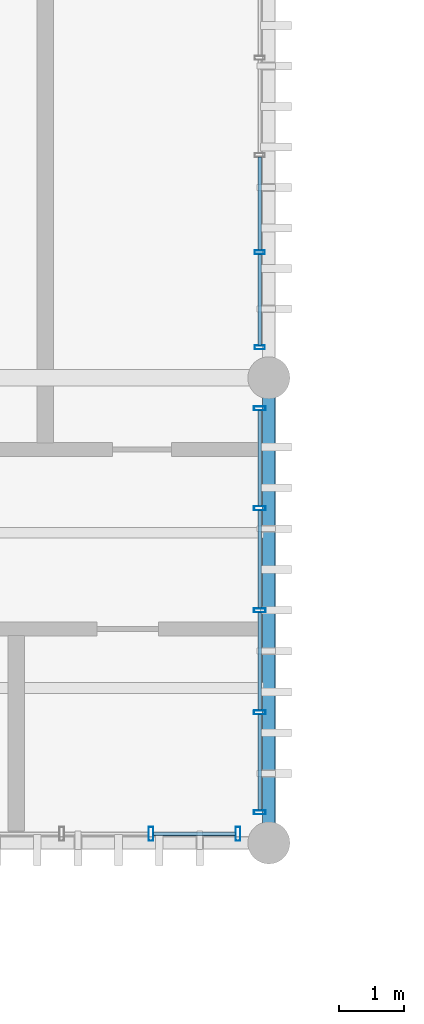
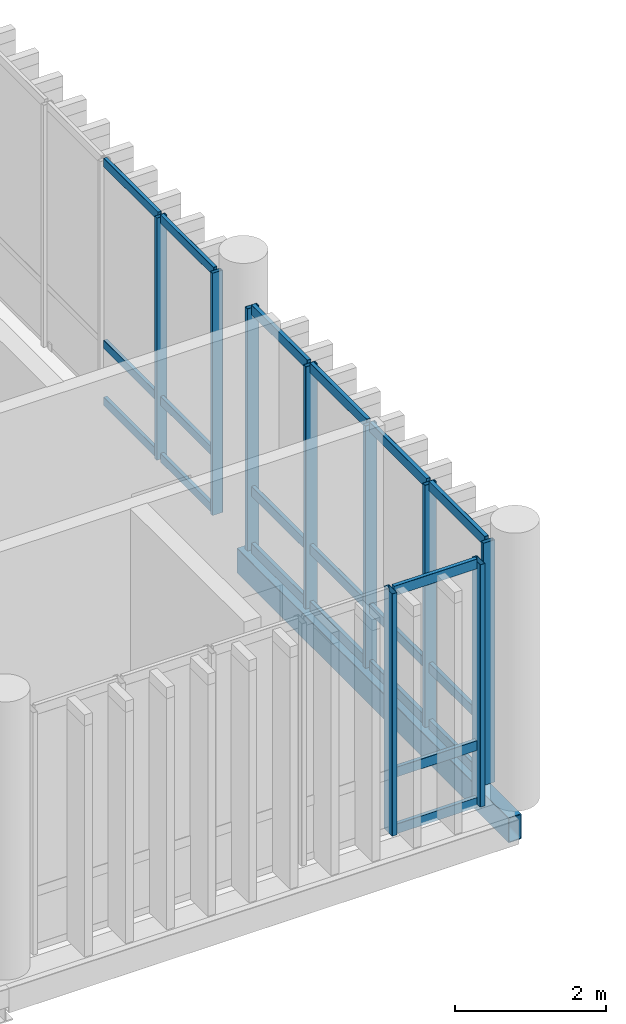
# One storey, part 32 of 66: 30 members, 1 beam, 3 elements without a shape of their own.
"""IFC4 building model written with IfcOpenShell, lengths in metres."""

from ifc_helpers import new_model, si_unit, direction, frame, origin_with_axes, origin_2d_with_axis, place, context, subcontext, project, spatial, hollow_rectangle, extrude, material, material_profile, profile_set, type_object, element, aggregate, save


model = new_model("IFC4")

# Units and contexts
model_context = context("Model", 3, precision=1e-05, world=origin_with_axes(), true_north=direction((0.0, 1.0)))
body_context = subcontext(model_context, "Body", "Model", "MODEL_VIEW")
ifc_project = project(units=[si_unit("LENGTHUNIT", "METRE"), si_unit("AREAUNIT", "SQUARE_METRE"), si_unit("VOLUMEUNIT", "CUBIC_METRE"), si_unit("PLANEANGLEUNIT", "RADIAN"), si_unit("MASSUNIT", "GRAM", prefix="KILO"), si_unit("THERMODYNAMICTEMPERATUREUNIT", "KELVIN")], contexts=[model_context])

# Site, building, storey
site_placement = place(None, origin_with_axes())
site = spatial("IfcSite", under=ifc_project, at=site_placement, CompositionType="ELEMENT")
building_placement = place(site_placement, origin_with_axes())
building = spatial("IfcBuilding", under=site, at=building_placement, Name="Montbau Bow Law Courts", CompositionType="ELEMENT")
storey_placement = place(building_placement, frame((0.0, 0.0, 34.5), z_axis=(0.0, 0.0, 1.0), x_axis=(1.0, 0.0, 0.0)))
storey = spatial("IfcBuildingStorey", under=building, at=storey_placement, Name="L07", CompositionType="ELEMENT", Elevation=34.5)

# Beam
ifc_material_1 = material(Name="Steel CSA G40.21 Grade 350WT (350 MPa)", Category="steel")
ifc_material_profile_1 = material_profile(ifc_material_1, hollow_rectangle(XDim=0.203, YDim=0.406, WallThickness=0.0127, InnerFilletRadius=0.0254, OuterFilletRadius=0.0127, at=origin_2d_with_axis()), Name="HSS406X203X13", Category="Main", Priority=0)
ifc_profile_set_1 = profile_set([ifc_material_profile_1], Name="Steel CSA G40.21 Grade 350WT (350 MPa)")
beam_type = type_object("IfcBeamType", Name="B-SPN-01", PredefinedType="SPANDREL", material=ifc_profile_set_1)
beam_placement = place(None, frame((105.0, 39.0, 33.997), z_axis=(0.0, 1.0, 0.0), x_axis=(-1.0, 0.0, 0.0)))
element("IfcBeam", 1, at=beam_placement, inside=storey, type_object=beam_type, Name="SPN-L07-S1058:bm2_1061", PredefinedType="SPANDREL", context=body_context, shape_type="SweptSolid", body=[
    extrude(hollow_rectangle(XDim=0.203, YDim=0.406, WallThickness=0.0127, InnerFilletRadius=0.0254, OuterFilletRadius=0.0127, at=origin_2d_with_axis()), origin_with_axes(), (0.0, 0.0, 1.0), 7.2),
])

# Curtain wall, members
ifc_material_2 = material(Name="Thermally Broken Extruded Aluminium AA 6063-T6", Category="aluminium")
curtain_wall_type = type_object("IfcCurtainWallType", Name="CW-CRM-02", PredefinedType="NOTDEFINED", material=ifc_material_2)
curtain_wall_1_placement = place(None, frame((97.64, 39.14, 34.5), z_axis=(0.0, 0.0, 1.0), x_axis=(1.0, 0.0, 0.0)))
curtain_wall_1 = element("IfcCurtainWall", 2, at=curtain_wall_1_placement, inside=storey, type_object=curtain_wall_type, Name="CW-L07-246:cw_0246", PredefinedType="NOTDEFINED")
ifc_material_profile_2 = material_profile(ifc_material_2, hollow_rectangle(XDim=0.075, YDim=0.22, WallThickness=0.005, InnerFilletRadius=0.01, OuterFilletRadius=0.005, at=origin_2d_with_axis()), Name="CWM-220X75", Category="Main", Priority=0)
ifc_profile_set_2 = profile_set([ifc_material_profile_2], Name="Thermally Broken Extruded Aluminium AA 6063-T6")
member_type_1 = type_object("IfcMemberType", Name="M-MUL-01", PredefinedType="MULLION", material=ifc_profile_set_2)
member_1_placement = place(None, frame((103.176, 39.14, 34.5), z_axis=(0.0, 0.0, 1.0), x_axis=(1.0, 0.0, 0.0)))
member_1 = element("IfcMember", 3, at=member_1_placement, type_object=member_type_1, Name="CW-L07-246-M05:cw_0246_M05", PredefinedType="MULLION", context=body_context, shape_type="SweptSolid", body=[
    extrude(hollow_rectangle(XDim=0.075, YDim=0.22, WallThickness=0.005, InnerFilletRadius=0.01, OuterFilletRadius=0.005, at=origin_2d_with_axis()), origin_with_axes(), (0.0, 0.0, 1.0), 3.92),
])
member_2_placement = place(None, frame((104.523, 39.14, 34.5), z_axis=(0.0, 0.0, 1.0), x_axis=(1.0, 0.0, 0.0)))
member_2 = element("IfcMember", 4, at=member_2_placement, type_object=member_type_1, Name="CW-L07-246-M06:cw_0246_M06", PredefinedType="MULLION", context=body_context, shape_type="SweptSolid", body=[
    extrude(hollow_rectangle(XDim=0.075, YDim=0.22, WallThickness=0.005, InnerFilletRadius=0.01, OuterFilletRadius=0.005, at=origin_2d_with_axis()), origin_with_axes(), (0.0, 0.0, 1.0), 3.92),
])

curtain_wall_2_placement = place(None, frame((104.86, 39.44, 34.5), z_axis=(0.0, 0.0, 1.0), x_axis=(1.0, 0.0, 0.0)))
curtain_wall_2 = element("IfcCurtainWall", 5, at=curtain_wall_2_placement, inside=storey, type_object=curtain_wall_type, Name="CW-L07-256:cw_0256", PredefinedType="NOTDEFINED")
ifc_material_profile_3 = material_profile(ifc_material_2, hollow_rectangle(XDim=0.065, YDim=0.18, WallThickness=0.005, InnerFilletRadius=0.01, OuterFilletRadius=0.005, at=origin_2d_with_axis()), Name="CWM-180X65", Category="Main", Priority=0)
ifc_profile_set_3 = profile_set([ifc_material_profile_3], Name="Thermally Broken Extruded Aluminium AA 6063-T6")
member_type_2 = type_object("IfcMemberType", Name="M-MUL-02", PredefinedType="MULLION", material=ifc_profile_set_3)
member_3_placement = place(None, frame((104.86, 39.473, 34.5), z_axis=(0.0, 0.0, 1.0), x_axis=(0.0, 1.0, 0.0)))
member_3 = element("IfcMember", 6, at=member_3_placement, type_object=member_type_2, Name="CW-L07-256-M01:cw_0256_M01", PredefinedType="MULLION", context=body_context, shape_type="SweptSolid", body=[
    extrude(hollow_rectangle(XDim=0.065, YDim=0.18, WallThickness=0.005, InnerFilletRadius=0.01, OuterFilletRadius=0.005, at=origin_2d_with_axis()), origin_with_axes(), (0.0, 0.0, 1.0), 3.92),
])
member_4_placement = place(None, frame((104.86, 41.02, 34.5), z_axis=(0.0, 0.0, 1.0), x_axis=(0.0, 1.0, 0.0)))
member_4 = element("IfcMember", 7, at=member_4_placement, type_object=member_type_2, Name="CW-L07-256-M02:cw_0256_M02", PredefinedType="MULLION", context=body_context, shape_type="SweptSolid", body=[
    extrude(hollow_rectangle(XDim=0.065, YDim=0.18, WallThickness=0.005, InnerFilletRadius=0.01, OuterFilletRadius=0.005, at=origin_2d_with_axis()), origin_with_axes(), (0.0, 0.0, 1.0), 3.92),
])
member_5_placement = place(None, frame((104.86, 42.6, 34.5), z_axis=(0.0, 0.0, 1.0), x_axis=(0.0, 1.0, 0.0)))
member_5 = element("IfcMember", 8, at=member_5_placement, type_object=member_type_2, Name="CW-L07-256-M03:cw_0256_M03", PredefinedType="MULLION", context=body_context, shape_type="SweptSolid", body=[
    extrude(hollow_rectangle(XDim=0.065, YDim=0.18, WallThickness=0.005, InnerFilletRadius=0.01, OuterFilletRadius=0.005, at=origin_2d_with_axis()), origin_with_axes(), (0.0, 0.0, 1.0), 3.92),
])
member_6_placement = place(None, frame((104.86, 44.18, 34.5), z_axis=(0.0, 0.0, 1.0), x_axis=(0.0, 1.0, 0.0)))
member_6 = element("IfcMember", 9, at=member_6_placement, type_object=member_type_2, Name="CW-L07-256-M04:cw_0256_M04", PredefinedType="MULLION", context=body_context, shape_type="SweptSolid", body=[
    extrude(hollow_rectangle(XDim=0.065, YDim=0.18, WallThickness=0.005, InnerFilletRadius=0.01, OuterFilletRadius=0.005, at=origin_2d_with_axis()), origin_with_axes(), (0.0, 0.0, 1.0), 3.92),
])
member_7_placement = place(None, frame((104.86, 45.728, 34.5), z_axis=(0.0, 0.0, 1.0), x_axis=(0.0, 1.0, 0.0)))
member_7 = element("IfcMember", 10, at=member_7_placement, type_object=member_type_2, Name="CW-L07-256-M05:cw_0256_M05", PredefinedType="MULLION", context=body_context, shape_type="SweptSolid", body=[
    extrude(hollow_rectangle(XDim=0.065, YDim=0.18, WallThickness=0.005, InnerFilletRadius=0.01, OuterFilletRadius=0.005, at=origin_2d_with_axis()), origin_with_axes(), (0.0, 0.0, 1.0), 3.92),
])

curtain_wall_3_placement = place(None, frame((104.86, 46.64, 34.5), z_axis=(0.0, 0.0, 1.0), x_axis=(1.0, 0.0, 0.0)))
curtain_wall_3 = element("IfcCurtainWall", 11, at=curtain_wall_3_placement, inside=storey, type_object=curtain_wall_type, Name="CW-L07-257:cw_0257", PredefinedType="NOTDEFINED")
ifc_material_profile_4 = material_profile(ifc_material_2, hollow_rectangle(XDim=0.06, YDim=0.16, WallThickness=0.004, InnerFilletRadius=0.008, OuterFilletRadius=0.004, at=origin_2d_with_axis()), Name="CWM-160X60", Category="Main", Priority=0)
ifc_profile_set_4 = profile_set([ifc_material_profile_4], Name="Thermally Broken Extruded Aluminium AA 6063-T6")
member_type_3 = type_object("IfcMemberType", Name="M-MUL-03", PredefinedType="MULLION", material=ifc_profile_set_4)
member_8_placement = place(None, frame((104.86, 46.67, 34.5), z_axis=(0.0, 0.0, 1.0), x_axis=(0.0, 1.0, 0.0)))
member_8 = element("IfcMember", 12, at=member_8_placement, type_object=member_type_3, Name="CW-L07-257-M01:cw_0257_M01", PredefinedType="MULLION", context=body_context, shape_type="SweptSolid", body=[
    extrude(hollow_rectangle(XDim=0.06, YDim=0.16, WallThickness=0.004, InnerFilletRadius=0.008, OuterFilletRadius=0.004, at=origin_2d_with_axis()), origin_with_axes(), (0.0, 0.0, 1.0), 3.92),
])
member_9_placement = place(None, frame((104.86, 48.144, 34.5), z_axis=(0.0, 0.0, 1.0), x_axis=(0.0, 1.0, 0.0)))
member_9 = element("IfcMember", 13, at=member_9_placement, type_object=member_type_3, Name="CW-L07-257-M02:cw_0257_M02", PredefinedType="MULLION", context=body_context, shape_type="SweptSolid", body=[
    extrude(hollow_rectangle(XDim=0.06, YDim=0.16, WallThickness=0.004, InnerFilletRadius=0.008, OuterFilletRadius=0.004, at=origin_2d_with_axis()), origin_with_axes(), (0.0, 0.0, 1.0), 3.92),
])

# Member
ifc_material_profile_5 = material_profile(ifc_material_2, hollow_rectangle(XDim=0.06, YDim=0.16, WallThickness=0.004, InnerFilletRadius=0.008, OuterFilletRadius=0.004, at=origin_2d_with_axis()), Name="CWT-160X60", Category="Main", Priority=0)
ifc_profile_set_5 = profile_set([ifc_material_profile_5], Name="Thermally Broken Extruded Aluminium AA 6063-T6")
member_type_4 = type_object("IfcMemberType", Name="M-TRN-01", PredefinedType="USERDEFINED", material=ifc_profile_set_5)
member_10_placement = place(None, frame((103.215, 39.14, 34.53), z_axis=(1.0, 0.0, 0.0), x_axis=(0.0, 1.0, 0.0)))
member_10 = element("IfcMember", 14, at=member_10_placement, type_object=member_type_4, Name="CW-L07-246-T05-1:cw_0246_T05_1", ObjectType="TRANSOM", PredefinedType="USERDEFINED", context=body_context, shape_type="SweptSolid", body=[
    extrude(hollow_rectangle(XDim=0.06, YDim=0.16, WallThickness=0.004, InnerFilletRadius=0.008, OuterFilletRadius=0.004, at=origin_2d_with_axis()), origin_with_axes(), (0.0, 0.0, 1.0), 1.269),
])

member_11_placement = place(None, frame((103.215, 39.14, 35.45), z_axis=(1.0, 0.0, 0.0), x_axis=(0.0, 1.0, 0.0)))
member_11 = element("IfcMember", 15, at=member_11_placement, type_object=member_type_4, Name="CW-L07-246-T05-2:cw_0246_T05_2", ObjectType="TRANSOM", PredefinedType="USERDEFINED", context=body_context, shape_type="SweptSolid", body=[
    extrude(hollow_rectangle(XDim=0.06, YDim=0.16, WallThickness=0.004, InnerFilletRadius=0.008, OuterFilletRadius=0.004, at=origin_2d_with_axis()), origin_with_axes(), (0.0, 0.0, 1.0), 1.269),
])

member_12_placement = place(None, frame((103.215, 39.14, 38.39), z_axis=(1.0, 0.0, 0.0), x_axis=(0.0, 1.0, 0.0)))
member_12 = element("IfcMember", 16, at=member_12_placement, type_object=member_type_4, Name="CW-L07-246-T05-3:cw_0246_T05_3", ObjectType="TRANSOM", PredefinedType="USERDEFINED", context=body_context, shape_type="SweptSolid", body=[
    extrude(hollow_rectangle(XDim=0.06, YDim=0.16, WallThickness=0.004, InnerFilletRadius=0.008, OuterFilletRadius=0.004, at=origin_2d_with_axis()), origin_with_axes(), (0.0, 0.0, 1.0), 1.269),
])

aggregate(curtain_wall_1, [member_1, member_2, member_10, member_11, member_12])

member_13_placement = place(None, frame((104.86, 39.508, 34.53), z_axis=(0.0, 1.0, 0.0), x_axis=(-1.0, 0.0, 0.0)))
member_13 = element("IfcMember", 17, at=member_13_placement, type_object=member_type_4, Name="CW-L07-256-T01-1:cw_0256_T01_1", ObjectType="TRANSOM", PredefinedType="USERDEFINED", context=body_context, shape_type="SweptSolid", body=[
    extrude(hollow_rectangle(XDim=0.06, YDim=0.16, WallThickness=0.004, InnerFilletRadius=0.008, OuterFilletRadius=0.004, at=origin_2d_with_axis()), origin_with_axes(), (0.0, 0.0, 1.0), 1.478),
])

member_14_placement = place(None, frame((104.86, 39.508, 35.45), z_axis=(0.0, 1.0, 0.0), x_axis=(-1.0, 0.0, 0.0)))
member_14 = element("IfcMember", 18, at=member_14_placement, type_object=member_type_4, Name="CW-L07-256-T01-2:cw_0256_T01_2", ObjectType="TRANSOM", PredefinedType="USERDEFINED", context=body_context, shape_type="SweptSolid", body=[
    extrude(hollow_rectangle(XDim=0.06, YDim=0.16, WallThickness=0.004, InnerFilletRadius=0.008, OuterFilletRadius=0.004, at=origin_2d_with_axis()), origin_with_axes(), (0.0, 0.0, 1.0), 1.478),
])

member_15_placement = place(None, frame((104.86, 39.508, 38.39), z_axis=(0.0, 1.0, 0.0), x_axis=(-1.0, 0.0, 0.0)))
member_15 = element("IfcMember", 19, at=member_15_placement, type_object=member_type_4, Name="CW-L07-256-T01-3:cw_0256_T01_3", ObjectType="TRANSOM", PredefinedType="USERDEFINED", context=body_context, shape_type="SweptSolid", body=[
    extrude(hollow_rectangle(XDim=0.06, YDim=0.16, WallThickness=0.004, InnerFilletRadius=0.008, OuterFilletRadius=0.004, at=origin_2d_with_axis()), origin_with_axes(), (0.0, 0.0, 1.0), 1.478),
])

member_16_placement = place(None, frame((104.86, 41.055, 34.53), z_axis=(0.0, 1.0, 0.0), x_axis=(-1.0, 0.0, 0.0)))
member_16 = element("IfcMember", 20, at=member_16_placement, type_object=member_type_4, Name="CW-L07-256-T02-1:cw_0256_T02_1", ObjectType="TRANSOM", PredefinedType="USERDEFINED", context=body_context, shape_type="SweptSolid", body=[
    extrude(hollow_rectangle(XDim=0.06, YDim=0.16, WallThickness=0.004, InnerFilletRadius=0.008, OuterFilletRadius=0.004, at=origin_2d_with_axis()), origin_with_axes(), (0.0, 0.0, 1.0), 1.511),
])

member_17_placement = place(None, frame((104.86, 41.055, 35.45), z_axis=(0.0, 1.0, 0.0), x_axis=(-1.0, 0.0, 0.0)))
member_17 = element("IfcMember", 21, at=member_17_placement, type_object=member_type_4, Name="CW-L07-256-T02-2:cw_0256_T02_2", ObjectType="TRANSOM", PredefinedType="USERDEFINED", context=body_context, shape_type="SweptSolid", body=[
    extrude(hollow_rectangle(XDim=0.06, YDim=0.16, WallThickness=0.004, InnerFilletRadius=0.008, OuterFilletRadius=0.004, at=origin_2d_with_axis()), origin_with_axes(), (0.0, 0.0, 1.0), 1.511),
])

member_18_placement = place(None, frame((104.86, 41.055, 38.39), z_axis=(0.0, 1.0, 0.0), x_axis=(-1.0, 0.0, 0.0)))
member_18 = element("IfcMember", 22, at=member_18_placement, type_object=member_type_4, Name="CW-L07-256-T02-3:cw_0256_T02_3", ObjectType="TRANSOM", PredefinedType="USERDEFINED", context=body_context, shape_type="SweptSolid", body=[
    extrude(hollow_rectangle(XDim=0.06, YDim=0.16, WallThickness=0.004, InnerFilletRadius=0.008, OuterFilletRadius=0.004, at=origin_2d_with_axis()), origin_with_axes(), (0.0, 0.0, 1.0), 1.511),
])

member_19_placement = place(None, frame((104.86, 42.635, 34.53), z_axis=(0.0, 1.0, 0.0), x_axis=(-1.0, 0.0, 0.0)))
member_19 = element("IfcMember", 23, at=member_19_placement, type_object=member_type_4, Name="CW-L07-256-T03-1:cw_0256_T03_1", ObjectType="TRANSOM", PredefinedType="USERDEFINED", context=body_context, shape_type="SweptSolid", body=[
    extrude(hollow_rectangle(XDim=0.06, YDim=0.16, WallThickness=0.004, InnerFilletRadius=0.008, OuterFilletRadius=0.004, at=origin_2d_with_axis()), origin_with_axes(), (0.0, 0.0, 1.0), 1.511),
])

member_20_placement = place(None, frame((104.86, 42.635, 35.45), z_axis=(0.0, 1.0, 0.0), x_axis=(-1.0, 0.0, 0.0)))
member_20 = element("IfcMember", 24, at=member_20_placement, type_object=member_type_4, Name="CW-L07-256-T03-2:cw_0256_T03_2", ObjectType="TRANSOM", PredefinedType="USERDEFINED", context=body_context, shape_type="SweptSolid", body=[
    extrude(hollow_rectangle(XDim=0.06, YDim=0.16, WallThickness=0.004, InnerFilletRadius=0.008, OuterFilletRadius=0.004, at=origin_2d_with_axis()), origin_with_axes(), (0.0, 0.0, 1.0), 1.511),
])

member_21_placement = place(None, frame((104.86, 42.635, 38.39), z_axis=(0.0, 1.0, 0.0), x_axis=(-1.0, 0.0, 0.0)))
member_21 = element("IfcMember", 25, at=member_21_placement, type_object=member_type_4, Name="CW-L07-256-T03-3:cw_0256_T03_3", ObjectType="TRANSOM", PredefinedType="USERDEFINED", context=body_context, shape_type="SweptSolid", body=[
    extrude(hollow_rectangle(XDim=0.06, YDim=0.16, WallThickness=0.004, InnerFilletRadius=0.008, OuterFilletRadius=0.004, at=origin_2d_with_axis()), origin_with_axes(), (0.0, 0.0, 1.0), 1.511),
])

member_22_placement = place(None, frame((104.86, 44.214, 34.53), z_axis=(0.0, 1.0, 0.0), x_axis=(-1.0, 0.0, 0.0)))
member_22 = element("IfcMember", 26, at=member_22_placement, type_object=member_type_4, Name="CW-L07-256-T04-1:cw_0256_T04_1", ObjectType="TRANSOM", PredefinedType="USERDEFINED", context=body_context, shape_type="SweptSolid", body=[
    extrude(hollow_rectangle(XDim=0.06, YDim=0.16, WallThickness=0.004, InnerFilletRadius=0.008, OuterFilletRadius=0.004, at=origin_2d_with_axis()), origin_with_axes(), (0.0, 0.0, 1.0), 1.48),
])

member_23_placement = place(None, frame((104.86, 44.214, 35.45), z_axis=(0.0, 1.0, 0.0), x_axis=(-1.0, 0.0, 0.0)))
member_23 = element("IfcMember", 27, at=member_23_placement, type_object=member_type_4, Name="CW-L07-256-T04-2:cw_0256_T04_2", ObjectType="TRANSOM", PredefinedType="USERDEFINED", context=body_context, shape_type="SweptSolid", body=[
    extrude(hollow_rectangle(XDim=0.06, YDim=0.16, WallThickness=0.004, InnerFilletRadius=0.008, OuterFilletRadius=0.004, at=origin_2d_with_axis()), origin_with_axes(), (0.0, 0.0, 1.0), 1.48),
])

member_24_placement = place(None, frame((104.86, 44.214, 38.39), z_axis=(0.0, 1.0, 0.0), x_axis=(-1.0, 0.0, 0.0)))
member_24 = element("IfcMember", 28, at=member_24_placement, type_object=member_type_4, Name="CW-L07-256-T04-3:cw_0256_T04_3", ObjectType="TRANSOM", PredefinedType="USERDEFINED", context=body_context, shape_type="SweptSolid", body=[
    extrude(hollow_rectangle(XDim=0.06, YDim=0.16, WallThickness=0.004, InnerFilletRadius=0.008, OuterFilletRadius=0.004, at=origin_2d_with_axis()), origin_with_axes(), (0.0, 0.0, 1.0), 1.48),
])

aggregate(curtain_wall_2, [member_3, member_4, member_5, member_6, member_7, member_13, member_14, member_15, member_16, member_17, member_18, member_19, member_20, member_21, member_22, member_23, member_24])

ifc_material_profile_6 = material_profile(ifc_material_2, hollow_rectangle(XDim=0.055, YDim=0.14, WallThickness=0.004, InnerFilletRadius=0.008, OuterFilletRadius=0.004, at=origin_2d_with_axis()), Name="CWT-140X55", Category="Main", Priority=0)
ifc_profile_set_6 = profile_set([ifc_material_profile_6], Name="Thermally Broken Extruded Aluminium AA 6063-T6")
member_type_5 = type_object("IfcMemberType", Name="M-TRN-02", PredefinedType="USERDEFINED", material=ifc_profile_set_6)
member_25_placement = place(None, frame((104.86, 46.702, 34.528), z_axis=(0.0, 1.0, 0.0), x_axis=(-1.0, 0.0, 0.0)))
member_25 = element("IfcMember", 29, at=member_25_placement, type_object=member_type_5, Name="CW-L07-257-T01-1:cw_0257_T01_1", ObjectType="TRANSOM", PredefinedType="USERDEFINED", context=body_context, shape_type="SweptSolid", body=[
    extrude(hollow_rectangle(XDim=0.055, YDim=0.14, WallThickness=0.004, InnerFilletRadius=0.008, OuterFilletRadius=0.004, at=origin_2d_with_axis()), origin_with_axes(), (0.0, 0.0, 1.0), 1.41),
])

member_26_placement = place(None, frame((104.86, 46.702, 35.45), z_axis=(0.0, 1.0, 0.0), x_axis=(-1.0, 0.0, 0.0)))
member_26 = element("IfcMember", 30, at=member_26_placement, type_object=member_type_5, Name="CW-L07-257-T01-2:cw_0257_T01_2", ObjectType="TRANSOM", PredefinedType="USERDEFINED", context=body_context, shape_type="SweptSolid", body=[
    extrude(hollow_rectangle(XDim=0.055, YDim=0.14, WallThickness=0.004, InnerFilletRadius=0.008, OuterFilletRadius=0.004, at=origin_2d_with_axis()), origin_with_axes(), (0.0, 0.0, 1.0), 1.41),
])

member_27_placement = place(None, frame((104.86, 46.702, 38.392), z_axis=(0.0, 1.0, 0.0), x_axis=(-1.0, 0.0, 0.0)))
member_27 = element("IfcMember", 31, at=member_27_placement, type_object=member_type_5, Name="CW-L07-257-T01-3:cw_0257_T01_3", ObjectType="TRANSOM", PredefinedType="USERDEFINED", context=body_context, shape_type="SweptSolid", body=[
    extrude(hollow_rectangle(XDim=0.055, YDim=0.14, WallThickness=0.004, InnerFilletRadius=0.008, OuterFilletRadius=0.004, at=origin_2d_with_axis()), origin_with_axes(), (0.0, 0.0, 1.0), 1.41),
])

member_28_placement = place(None, frame((104.86, 48.176, 34.528), z_axis=(0.0, 1.0, 0.0), x_axis=(-1.0, 0.0, 0.0)))
member_28 = element("IfcMember", 32, at=member_28_placement, type_object=member_type_5, Name="CW-L07-257-T02-1:cw_0257_T02_1", ObjectType="TRANSOM", PredefinedType="USERDEFINED", context=body_context, shape_type="SweptSolid", body=[
    extrude(hollow_rectangle(XDim=0.055, YDim=0.14, WallThickness=0.004, InnerFilletRadius=0.008, OuterFilletRadius=0.004, at=origin_2d_with_axis()), origin_with_axes(), (0.0, 0.0, 1.0), 1.44),
])

member_29_placement = place(None, frame((104.86, 48.176, 35.45), z_axis=(0.0, 1.0, 0.0), x_axis=(-1.0, 0.0, 0.0)))
member_29 = element("IfcMember", 33, at=member_29_placement, type_object=member_type_5, Name="CW-L07-257-T02-2:cw_0257_T02_2", ObjectType="TRANSOM", PredefinedType="USERDEFINED", context=body_context, shape_type="SweptSolid", body=[
    extrude(hollow_rectangle(XDim=0.055, YDim=0.14, WallThickness=0.004, InnerFilletRadius=0.008, OuterFilletRadius=0.004, at=origin_2d_with_axis()), origin_with_axes(), (0.0, 0.0, 1.0), 1.44),
])

member_30_placement = place(None, frame((104.86, 48.176, 38.392), z_axis=(0.0, 1.0, 0.0), x_axis=(-1.0, 0.0, 0.0)))
member_30 = element("IfcMember", 34, at=member_30_placement, type_object=member_type_5, Name="CW-L07-257-T02-3:cw_0257_T02_3", ObjectType="TRANSOM", PredefinedType="USERDEFINED", context=body_context, shape_type="SweptSolid", body=[
    extrude(hollow_rectangle(XDim=0.055, YDim=0.14, WallThickness=0.004, InnerFilletRadius=0.008, OuterFilletRadius=0.004, at=origin_2d_with_axis()), origin_with_axes(), (0.0, 0.0, 1.0), 1.44),
])

aggregate(curtain_wall_3, [member_8, member_9, member_25, member_26, member_27, member_28, member_29, member_30])

save(model, "model.ifc")
